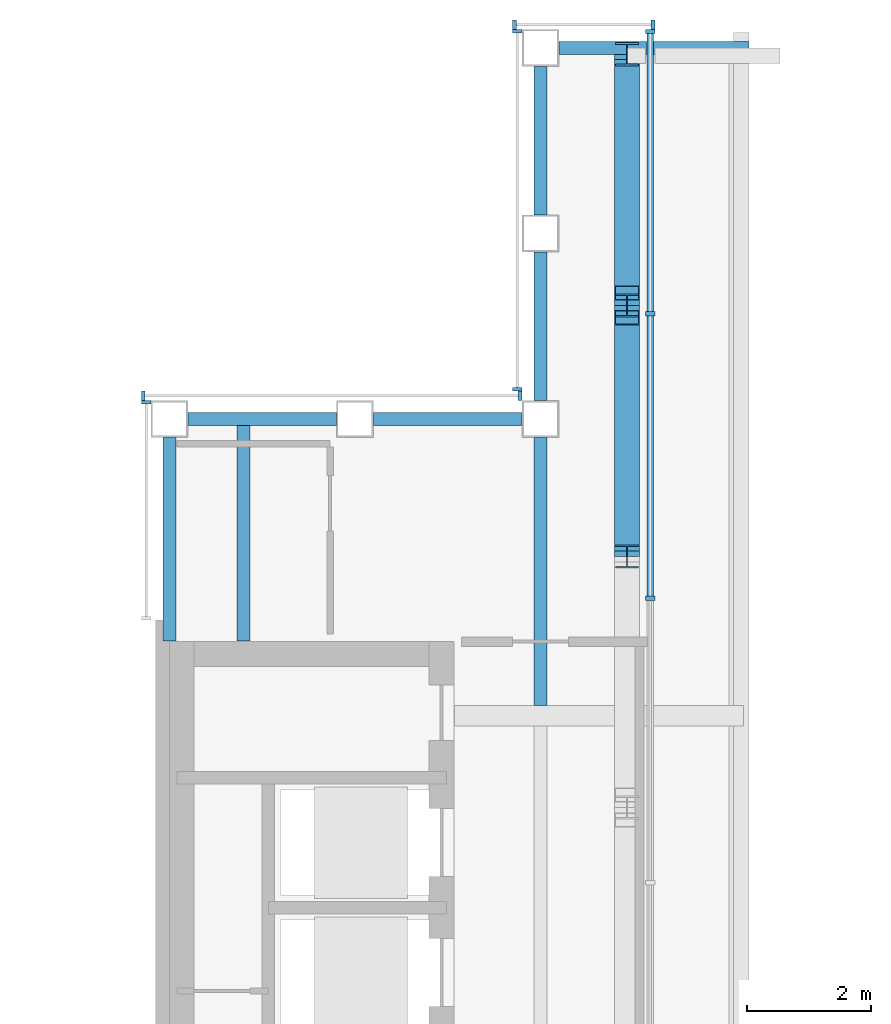
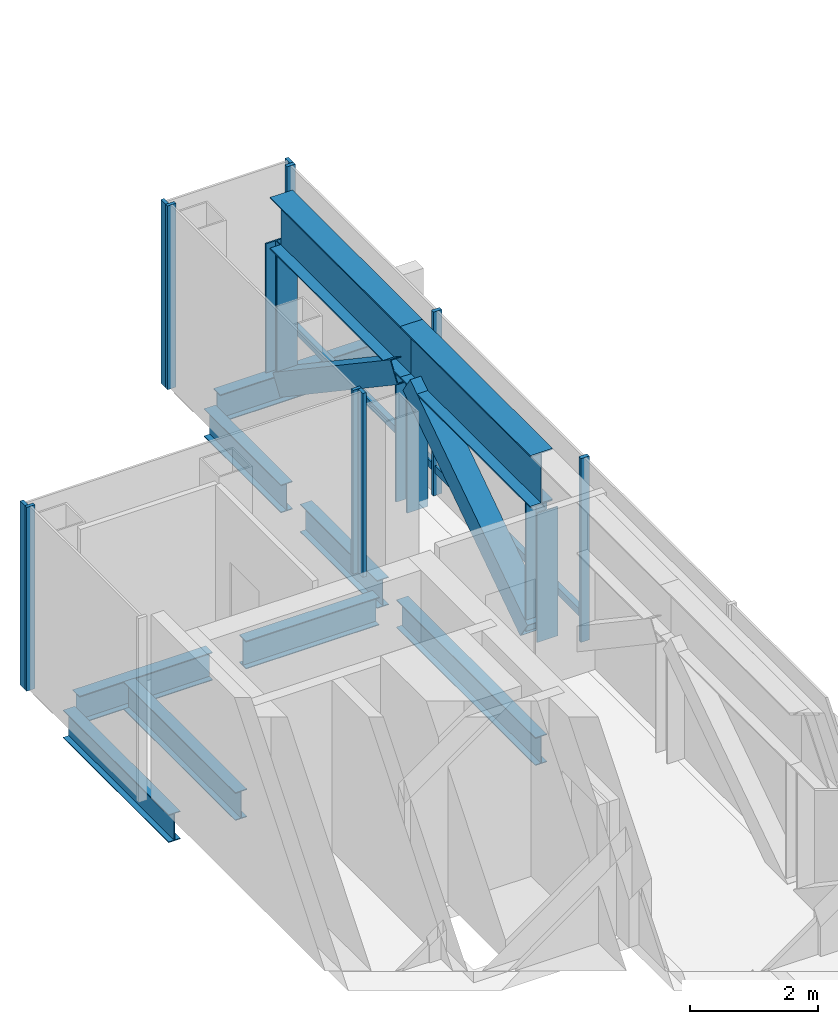
# One storey, part 9 of 16: 19 members, 8 beams, 5 elements without a shape of their own.
"""IFC4 building model written with IfcOpenShell, lengths in metres."""

from ifc_helpers import new_model, si_unit, direction, frame, origin, origin_2d, place, context, subcontext, project, spatial, rectangle, hollow_rectangle, i_section, extrude, material, material_profile, profile_set, type_object, element, aggregate, save


model = new_model("IFC4")

# Units and contexts
model_context = context("Model", 3, precision=1e-05, world=origin(), true_north=direction((0.0, 1.0)))
body_context = subcontext(model_context, "Body", "Model", "MODEL_VIEW")
ifc_project = project(units=[si_unit("LENGTHUNIT", "METRE"), si_unit("AREAUNIT", "SQUARE_METRE"), si_unit("VOLUMEUNIT", "CUBIC_METRE"), si_unit("PLANEANGLEUNIT", "RADIAN"), si_unit("MASSUNIT", "GRAM", prefix="KILO")], contexts=[model_context])

# Site, building, storey
site_placement = place(None, origin())
site = spatial("IfcSite", under=ifc_project, at=site_placement, CompositionType="ELEMENT")
building_placement = place(site_placement, origin())
building = spatial("IfcBuilding", under=site, at=building_placement, Name="Cobrizo Arcos Hotel Tower", CompositionType="ELEMENT")
storey_placement = place(building_placement, frame((0.0, 0.0, 286.5)))
storey = spatial("IfcBuildingStorey", under=building, at=storey_placement, Name="L76", CompositionType="ELEMENT", Elevation=286.5)

# Curtain wall, members
ifc_material_1 = material(Name="Aluminium 6063-T6 anodised bronze", Category="aluminium")
curtain_wall_type_1 = type_object("IfcCurtainWallType", Name="CW-A guest facade", PredefinedType="NOTDEFINED", material=ifc_material_1)
curtain_wall_1_placement = place(storey_placement, origin())
curtain_wall_1 = element("IfcCurtainWall", 1, at=curtain_wall_1_placement, inside=storey, type_object=curtain_wall_type_1, Name="CW-A L76 N face", PredefinedType="NOTDEFINED")
ifc_material_profile_1 = material_profile(ifc_material_1, rectangle(XDim=0.14990234375, YDim=0.06005859375, at=origin_2d()), Name="CW-A mullion 150x60")
ifc_profile_set_1 = profile_set([ifc_material_profile_1], Name="Aluminium 6063-T6 anodised bronze")
member_type_1 = type_object("IfcMemberType", Name="CW-A mullion 150x60", PredefinedType="MULLION", material=ifc_profile_set_1)
member_1_placement = place(storey_placement, frame((-12.580078125, 20.77490234375, 0.0), z_axis=(0.0, 0.0, 1.0), x_axis=(0.0, 1.0, 0.0)))
member_1 = element("IfcMember", 2, at=member_1_placement, type_object=member_type_1, Name="CW-A mullion 1", PredefinedType="MULLION", context=body_context, shape_type="SweptSolid", body=[
    extrude(rectangle(XDim=0.14990234375, YDim=0.06005859375, at=origin_2d()), origin(), (0.0, 0.0, 1.0), 3.5),
])
member_2_placement = place(storey_placement, frame((-14.820068359375, 20.77490234375, 0.0), z_axis=(0.0, 0.0, 1.0), x_axis=(0.0, 1.0, 0.0)))
member_2 = element("IfcMember", 3, at=member_2_placement, type_object=member_type_1, Name="CW-A mullion 2", PredefinedType="MULLION", context=body_context, shape_type="SweptSolid", body=[
    extrude(rectangle(XDim=0.14990234375, YDim=0.06005859375, at=origin_2d()), origin(), (0.0, 0.0, 1.0), 3.5),
])
aggregate(curtain_wall_1, [member_1, member_2])

curtain_wall_2_placement = place(storey_placement, origin())
curtain_wall_2 = element("IfcCurtainWall", 4, at=curtain_wall_2_placement, inside=storey, type_object=curtain_wall_type_1, Name="CW-A L76 W face", PredefinedType="NOTDEFINED")
member_3_placement = place(storey_placement, frame((-14.77490234375, 20.669921875, 0.0), z_axis=(0.0, 0.0, 1.0), x_axis=(-1.0, 0.0, 0.0)))
member_3 = element("IfcMember", 5, at=member_3_placement, type_object=member_type_1, Name="CW-A mullion 1", PredefinedType="MULLION", context=body_context, shape_type="SweptSolid", body=[
    extrude(rectangle(XDim=0.14990234375, YDim=0.06005859375, at=origin_2d()), origin(), (0.0, 0.0, 1.0), 3.5),
])
member_4_placement = place(storey_placement, frame((-14.77490234375, 14.8798828125, 0.0), z_axis=(0.0, 0.0, 1.0), x_axis=(-1.0, 0.0, 0.0)))
member_4 = element("IfcMember", 6, at=member_4_placement, type_object=member_type_1, Name="CW-A mullion 2", PredefinedType="MULLION", context=body_context, shape_type="SweptSolid", body=[
    extrude(rectangle(XDim=0.14990234375, YDim=0.06005859375, at=origin_2d()), origin(), (0.0, 0.0, 1.0), 3.5),
])
aggregate(curtain_wall_2, [member_3, member_4])

curtain_wall_3_placement = place(storey_placement, origin())
curtain_wall_3 = element("IfcCurtainWall", 7, at=curtain_wall_3_placement, inside=storey, type_object=curtain_wall_type_1, Name="CW-A L76 N face", PredefinedType="NOTDEFINED")
member_5_placement = place(storey_placement, frame((-14.72998046875, 14.77490234375, 0.0), z_axis=(0.0, 0.0, 1.0), x_axis=(0.0, 1.0, 0.0)))
member_5 = element("IfcMember", 8, at=member_5_placement, type_object=member_type_1, Name="CW-A mullion 1", PredefinedType="MULLION", context=body_context, shape_type="SweptSolid", body=[
    extrude(rectangle(XDim=0.14990234375, YDim=0.06005859375, at=origin_2d()), origin(), (0.0, 0.0, 1.0), 3.5),
])
member_6_placement = place(storey_placement, frame((-20.820068359375, 14.77490234375, 0.0), z_axis=(0.0, 0.0, 1.0), x_axis=(0.0, 1.0, 0.0)))
member_6 = element("IfcMember", 9, at=member_6_placement, type_object=member_type_1, Name="CW-A mullion 2", PredefinedType="MULLION", context=body_context, shape_type="SweptSolid", body=[
    extrude(rectangle(XDim=0.14990234375, YDim=0.06005859375, at=origin_2d()), origin(), (0.0, 0.0, 1.0), 3.5),
])
aggregate(curtain_wall_3, [member_5, member_6])

# Curtain wall, member
curtain_wall_4_placement = place(storey_placement, origin())
curtain_wall_4 = element("IfcCurtainWall", 10, at=curtain_wall_4_placement, inside=storey, type_object=curtain_wall_type_1, Name="CW-A L76 W face", PredefinedType="NOTDEFINED")
member_7_placement = place(storey_placement, frame((-20.77490234375, 14.669921875, 0.0), z_axis=(0.0, 0.0, 1.0), x_axis=(-1.0, 0.0, 0.0)))
member_7 = element("IfcMember", 11, at=member_7_placement, type_object=member_type_1, Name="CW-A mullion 1", PredefinedType="MULLION", context=body_context, shape_type="SweptSolid", body=[
    extrude(rectangle(XDim=0.14990234375, YDim=0.06005859375, at=origin_2d()), origin(), (0.0, 0.0, 1.0), 3.5),
])
aggregate(curtain_wall_4, [member_7])

# Curtain wall, members
curtain_wall_type_2 = type_object("IfcCurtainWallType", Name="CW-C arch infill and crown glazing", PredefinedType="NOTDEFINED", material=ifc_material_1)
curtain_wall_5_placement = place(storey_placement, origin())
curtain_wall_5 = element("IfcCurtainWall", 12, at=curtain_wall_5_placement, inside=storey, type_object=curtain_wall_type_2, Name="CW-C L76 E face", PredefinedType="NOTDEFINED")
ifc_material_profile_2 = material_profile(ifc_material_1, rectangle(XDim=0.14990234375, YDim=0.070068359375, at=origin_2d()), Name="CW-C mullion 150x70")
ifc_profile_set_2 = profile_set([ifc_material_profile_2], Name="Aluminium 6063-T6 anodised bronze")
member_type_2 = type_object("IfcMemberType", Name="CW-C mullion 150x70", PredefinedType="MULLION", material=ifc_profile_set_2)
member_8_placement = place(storey_placement, frame((-12.625, 11.5, 0.0), z_axis=(0.0, 0.0, 1.0), x_axis=(1.0, 0.0, 0.0)))
member_8 = element("IfcMember", 13, at=member_8_placement, type_object=member_type_2, Name="CW-C mullion 8", PredefinedType="MULLION", context=body_context, shape_type="SweptSolid", body=[
    extrude(rectangle(XDim=0.14990234375, YDim=0.070068359375, at=origin_2d()), origin(), (0.0, 0.0, 1.0), 3.5),
])
member_9_placement = place(storey_placement, frame((-12.625, 16.10009765625, 0.0), z_axis=(0.0, 0.0, 1.0), x_axis=(1.0, 0.0, 0.0)))
member_9 = element("IfcMember", 14, at=member_9_placement, type_object=member_type_2, Name="CW-C mullion 9", PredefinedType="MULLION", context=body_context, shape_type="SweptSolid", body=[
    extrude(rectangle(XDim=0.14990234375, YDim=0.070068359375, at=origin_2d()), origin(), (0.0, 0.0, 1.0), 3.5),
])
member_10_placement = place(storey_placement, frame((-12.625, 20.6650390625, 0.0), z_axis=(0.0, 0.0, 1.0), x_axis=(1.0, 0.0, 0.0)))
member_10 = element("IfcMember", 15, at=member_10_placement, type_object=member_type_2, Name="CW-C mullion 10", PredefinedType="MULLION", context=body_context, shape_type="SweptSolid", body=[
    extrude(rectangle(XDim=0.14990234375, YDim=0.070068359375, at=origin_2d()), origin(), (0.0, 0.0, 1.0), 3.5),
])
ifc_material_profile_3 = material_profile(ifc_material_1, rectangle(XDim=0.10009765625, YDim=0.139892578125, at=origin_2d()), Name="CW-C transom 140x100")
ifc_profile_set_3 = profile_set([ifc_material_profile_3], Name="Aluminium 6063-T6 anodised bronze")
member_type_3 = type_object("IfcMemberType", Name="CW-C transom 140x100", PredefinedType="USERDEFINED", material=ifc_profile_set_3)
member_11_placement = place(storey_placement, frame((-12.625, 11.534912109375, 0.5), z_axis=(0.0, 1.0, 0.0), x_axis=(-1.0, 0.0, 0.0)))
member_11 = element("IfcMember", 16, at=member_11_placement, type_object=member_type_3, Name="CW-C transom 2417", ObjectType="TRANSOM", PredefinedType="USERDEFINED", context=body_context, shape_type="SweptSolid", body=[
    extrude(rectangle(XDim=0.10009765625, YDim=0.139892578125, at=origin_2d()), origin(), (0.0, 0.0, 1.0), 4.530029296875),
])
member_12_placement = place(storey_placement, frame((-12.625, 16.135009765625, 0.5), z_axis=(0.0, 1.0, 0.0), x_axis=(-1.0, 0.0, 0.0)))
member_12 = element("IfcMember", 17, at=member_12_placement, type_object=member_type_3, Name="CW-C transom 2418", ObjectType="TRANSOM", PredefinedType="USERDEFINED", context=body_context, shape_type="SweptSolid", body=[
    extrude(rectangle(XDim=0.10009765625, YDim=0.139892578125, at=origin_2d()), origin(), (0.0, 0.0, 1.0), 4.494873046875),
])
aggregate(curtain_wall_5, [member_8, member_9, member_10, member_11, member_12])

# Members
ifc_material_2 = material(Name="Steel ASTM A500 Grade C", Category="steel")
ifc_material_profile_4 = material_profile(ifc_material_2, hollow_rectangle(XDim=0.406494140625, YDim=0.406494140625, WallThickness=0.014892578125, at=origin_2d()), Name="HSS16X16X5/8")
ifc_profile_set_4 = profile_set([ifc_material_profile_4], Name="Steel ASTM A500 Grade C")
member_type_4 = type_object("IfcMemberType", Name="HSS16X16X5/8 crown edge truss diagonal", PredefinedType="BRACE", material=ifc_profile_set_4)
for number, where, z_axis, x_axis, name in (
    (18, (-13.0, 12.377197265625, -0.14990234375), (0.0, 0.829974292143, 0.557801644299), (-1.0, 0.0, 0.0), "Crown truss diagonal CD1, west side, no. 08"),
    (19, (-13.0, 16.436279296875, 2.309326171875), (0.0, 0.829957061143, -0.557827282104), (-1.0, 0.0, 0.0), "Crown truss diagonal CD1, west side, no. 09"),
):
    element("IfcMember", number, at=place(storey_placement, frame(where, z_axis=z_axis, x_axis=x_axis)), inside=storey, type_object=member_type_4, Name=name, PredefinedType="BRACE", context=body_context, shape_type="SweptSolid", body=[
        extrude(hollow_rectangle(XDim=0.406494140625, YDim=0.406494140625, WallThickness=0.014892578125, at=origin_2d()), origin(), (0.0, 0.0, 1.0), 4.40869140625),
    ])
ifc_material_3 = material(Name="Steel ASTM A992 Grade 50", Category="steel")
ifc_material_profile_5 = material_profile(ifc_material_3, i_section(OverallWidth=0.373291015625, OverallDepth=0.373291015625, WebThickness=0.016357421875, FlangeThickness=0.026123046875, at=origin_2d()), Name="W14X132")
ifc_profile_set_5 = profile_set([ifc_material_profile_5], Name="Steel ASTM A992 Grade 50")
member_type_5 = type_object("IfcMemberType", Name="W14X132 crown edge truss post", PredefinedType="POST", material=ifc_profile_set_5)
for number, where, z_axis, x_axis, name in (
    (20, (-13.0, 12.17724609375, -0.14990234375), (0.0, 0.0, 1.0), (1.0, 0.0, 0.0), "Crown truss post CP1, west side, no. 08"),
    (21, (-13.0, 16.236328125, -0.14990234375), (0.0, 0.0, 1.0), (1.0, 0.0, 0.0), "Crown truss post CP1, west side, no. 09"),
    (22, (-13.0, 20.29541015625, -0.14990234375), (0.0, 0.0, 1.0), (1.0, 0.0, 0.0), "Crown truss post CP1, west side, no. 10"),
):
    element("IfcMember", number, at=place(storey_placement, frame(where, z_axis=z_axis, x_axis=x_axis)), inside=storey, type_object=member_type_5, Name=name, PredefinedType="POST", context=body_context, shape_type="SweptSolid", body=[
        extrude(i_section(OverallWidth=0.373291015625, OverallDepth=0.373291015625, WebThickness=0.016357421875, FlangeThickness=0.026123046875, at=origin_2d()), origin(), (0.0, 0.0, 1.0), 2.459228515625),
    ])

# Beams
ifc_material_profile_6 = material_profile(ifc_material_3, i_section(OverallWidth=0.209228515625, OverallDepth=0.533447265625, WebThickness=0.01025390625, FlangeThickness=0.015625, at=origin_2d()), Name="W21X62")
ifc_profile_set_6 = profile_set([ifc_material_profile_6], Name="Steel ASTM A992 Grade 50")
beam_type_1 = type_object("IfcBeamType", Name="W21X62 joist", PredefinedType="JOIST", material=ifc_profile_set_6)
beam_1_placement = place(storey_placement, frame((-19.199951171875, 10.81005859375, -0.416748046875), z_axis=(0.0, 1.0, 0.0), x_axis=(-1.0, 0.0, 0.0)))
element("IfcBeam", 23, at=beam_1_placement, inside=storey, type_object=beam_type_1, Name="Floor joist J1, L76, no. 002", PredefinedType="JOIST", context=body_context, shape_type="SweptSolid", body=[
    extrude(i_section(OverallWidth=0.209228515625, OverallDepth=0.533447265625, WebThickness=0.01025390625, FlangeThickness=0.015625, at=origin_2d()), origin(), (0.0, 0.0, 1.0), 3.5),
])
beam_2_placement = place(storey_placement, frame((-14.39990234375, 9.763916015625, -0.416748046875), z_axis=(0.0, 1.0, 0.0), x_axis=(-1.0, 0.0, 0.0)))
element("IfcBeam", 24, at=beam_2_placement, inside=storey, type_object=beam_type_1, Name="Floor joist J1, L76, no. 006", PredefinedType="JOIST", context=body_context, shape_type="SweptSolid", body=[
    extrude(i_section(OverallWidth=0.209228515625, OverallDepth=0.533447265625, WebThickness=0.01025390625, FlangeThickness=0.015625, at=origin_2d()), origin(), (0.0, 0.0, 1.0), 4.336181640625),
])
ifc_material_profile_7 = material_profile(ifc_material_3, i_section(OverallWidth=0.209228515625, OverallDepth=0.533447265625, WebThickness=0.01025390625, FlangeThickness=0.015625, at=origin_2d()), Name="W21X62")
ifc_profile_set_7 = profile_set([ifc_material_profile_7], Name="Steel ASTM A992 Grade 50")
beam_type_2 = type_object("IfcBeamType", Name="W21X62 spandrel", PredefinedType="SPANDREL", material=ifc_profile_set_7)
beam_3_placement = place(storey_placement, frame((-20.39990234375, 10.81005859375, -0.416748046875), z_axis=(0.0, 1.0, 0.0), x_axis=(-1.0, 0.0, 0.0)))
element("IfcBeam", 25, at=beam_3_placement, inside=storey, type_object=beam_type_2, Name="Spandrel beam W21X62, L76, no. 002", PredefinedType="SPANDREL", context=body_context, shape_type="SweptSolid", body=[
    extrude(i_section(OverallWidth=0.209228515625, OverallDepth=0.533447265625, WebThickness=0.01025390625, FlangeThickness=0.015625, at=origin_2d()), origin(), (0.0, 0.0, 1.0), 3.2900390625),
])
for number, where, z_axis, x_axis, name in (
    (26, (-20.10009765625, 14.39990234375, -0.416748046875), (1.0, 0.0, 0.0), (0.0, 1.0, 0.0), "Spandrel beam W21X62, L76, no. 003"),
    (27, (-17.10009765625, 14.39990234375, -0.416748046875), (1.0, 0.0, 0.0), (0.0, 1.0, 0.0), "Spandrel beam W21X62, L76, no. 004"),
    (28, (-14.39990234375, 14.699951171875, -0.416748046875), (0.0, 1.0, 0.0), (-1.0, 0.0, 0.0), "Spandrel beam W21X62, L76, no. 005"),
    (29, (-14.39990234375, 17.699951171875, -0.416748046875), (0.0, 1.0, 0.0), (-1.0, 0.0, 0.0), "Spandrel beam W21X62, L76, no. 006"),
):
    element("IfcBeam", number, at=place(storey_placement, frame(where, z_axis=z_axis, x_axis=x_axis)), inside=storey, type_object=beam_type_2, Name=name, PredefinedType="SPANDREL", context=body_context, shape_type="SweptSolid", body=[
        extrude(i_section(OverallWidth=0.209228515625, OverallDepth=0.533447265625, WebThickness=0.01025390625, FlangeThickness=0.015625, at=origin_2d()), origin(), (0.0, 0.0, 1.0), 2.400146484375),
    ])
beam_4_placement = place(storey_placement, frame((-14.10009765625, 20.39990234375, -0.416748046875), z_axis=(1.0, 0.0, 0.0), x_axis=(0.0, 1.0, 0.0)))
element("IfcBeam", 30, at=beam_4_placement, inside=storey, type_object=beam_type_2, Name="Spandrel beam W21X62, L76, no. 007", PredefinedType="SPANDREL", context=body_context, shape_type="SweptSolid", body=[
    extrude(i_section(OverallWidth=0.209228515625, OverallDepth=0.533447265625, WebThickness=0.01025390625, FlangeThickness=0.015625, at=origin_2d()), origin(), (0.0, 0.0, 1.0), 3.07421875),
])

# Members
ifc_material_profile_8 = material_profile(ifc_material_3, i_section(OverallWidth=0.4013671875, OverallDepth=0.990478515625, WebThickness=0.0166015625, FlangeThickness=0.025390625, at=origin_2d()), Name="W40X215")
ifc_profile_set_8 = profile_set([ifc_material_profile_8], Name="Steel ASTM A992 Grade 50")
member_type_6 = type_object("IfcMemberType", Name="W40X215 crown edge truss chord", PredefinedType="CHORD", material=ifc_profile_set_8)
for number, where, z_axis, x_axis, name in (
    (31, (-13.0, 12.17724609375, 2.8046875), (0.0, 1.0, 0.0), (-1.0, 0.0, 0.0), "Crown truss top chord CC1, west side, no. 08"),
    (32, (-13.0, 16.236328125, 2.8046875), (0.0, 1.0, 0.0), (-1.0, 0.0, 0.0), "Crown truss top chord CC1, west side, no. 09"),
):
    element("IfcMember", number, at=place(storey_placement, frame(where, z_axis=z_axis, x_axis=x_axis)), inside=storey, type_object=member_type_6, Name=name, PredefinedType="CHORD", context=body_context, shape_type="SweptSolid", body=[
        extrude(i_section(OverallWidth=0.4013671875, OverallDepth=0.990478515625, WebThickness=0.0166015625, FlangeThickness=0.025390625, at=origin_2d()), origin(), (0.0, 0.0, 1.0), 4.05908203125),
    ])

save(model, "model.ifc")
